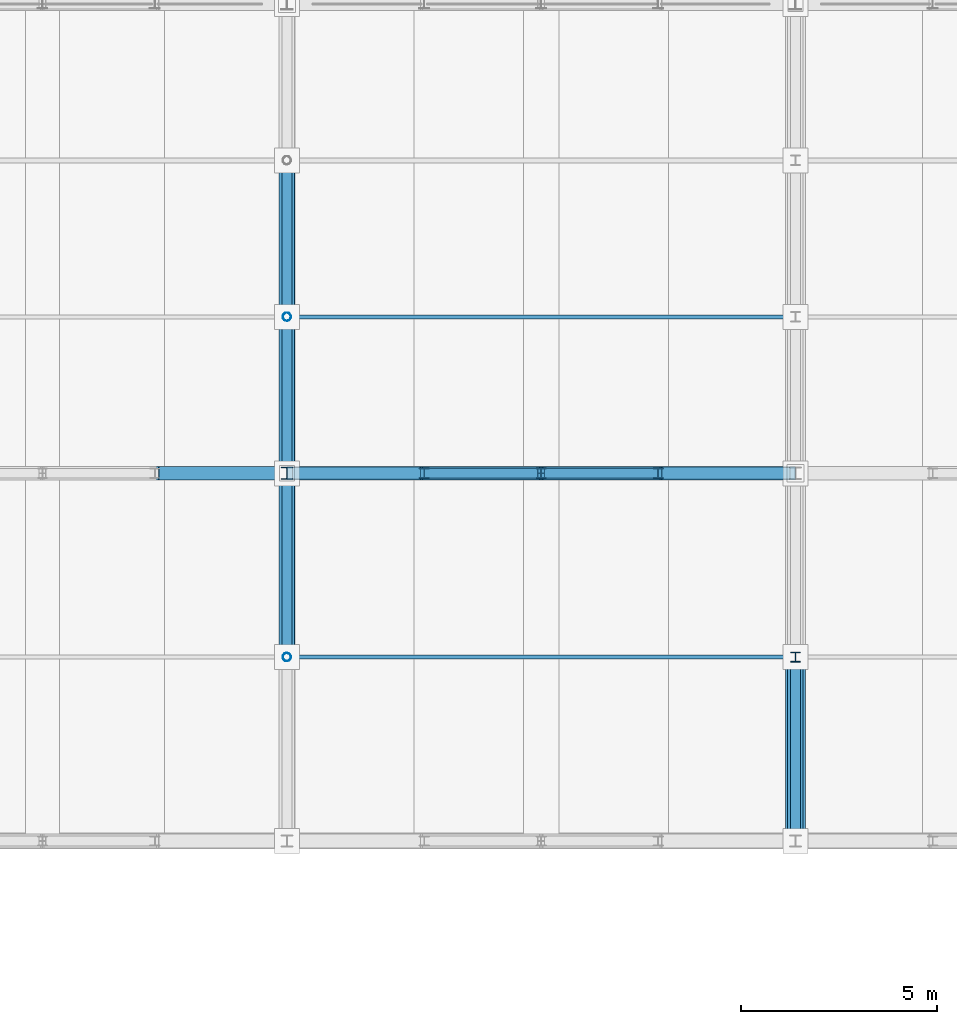
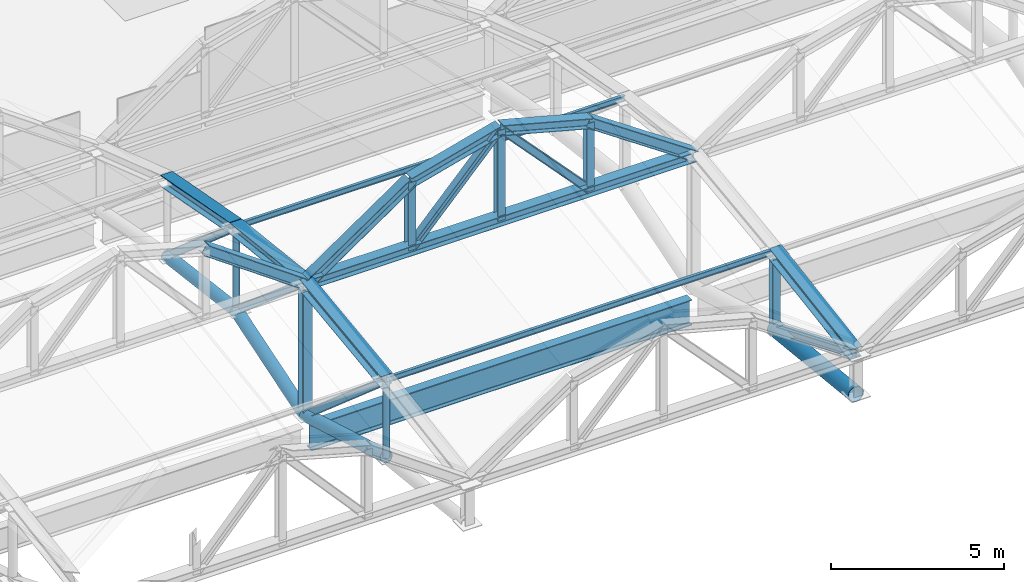
# One storey, part 49 of 117: 29 members, 1 beam.
"""IFC4 building model written with IfcOpenShell, lengths in metres."""

from ifc_helpers import new_model, si_unit, direction, frame, origin, origin_2d, place, context, subcontext, project, spatial, hollow_circle, i_section, extrude, material, material_profile, profile_set, type_object, element, save


model = new_model("IFC4")

# Units and contexts
model_context = context("Model", 3, precision=1e-05, world=origin(), true_north=direction((0.0, 1.0)))
body_context = subcontext(model_context, "Body", "Model", "MODEL_VIEW")
ifc_project = project(units=[si_unit("LENGTHUNIT", "METRE"), si_unit("AREAUNIT", "SQUARE_METRE"), si_unit("VOLUMEUNIT", "CUBIC_METRE"), si_unit("PLANEANGLEUNIT", "RADIAN"), si_unit("MASSUNIT", "GRAM", prefix="KILO")], contexts=[model_context])

# Site, building, storey
site_placement = place(None, origin())
site = spatial("IfcSite", under=ifc_project, at=site_placement, CompositionType="ELEMENT")
building_placement = place(site_placement, origin())
building = spatial("IfcBuilding", under=site, at=building_placement, Name="Kazenohara Klinker Stadium", CompositionType="ELEMENT")
storey_placement = place(building_placement, frame((0.0, 0.0, 31.199951171875)))
storey = spatial("IfcBuildingStorey", under=building, at=storey_placement, Name="RF", CompositionType="ELEMENT", Elevation=31.199951171875)

# Members
ifc_material = material(Name="Steel S355", Category="steel")
ifc_material_profile_1 = material_profile(ifc_material, i_section(OverallWidth=0.25, OverallDepth=0.25, WebThickness=0.009033203125, FlangeThickness=0.013916015625, FilletRadius=0.012939453125, at=origin_2d()), Name="H-250x250x9x14")
ifc_profile_set_1 = profile_set([ifc_material_profile_1], Name="Steel S355")
member_type_1 = type_object("IfcMemberType", Name="MEM-BRC02", PredefinedType="BRACE", material=ifc_profile_set_1)
member_1_placement = place(storey_placement, frame((99.0, 140.0, 0.75), z_axis=(0.0, -0.757253091298, 0.653121547432), x_axis=(1.0, 0.0, 0.0)))
element("IfcMember", 1, at=member_1_placement, inside=storey, type_object=member_type_1, Name="ROOF TRUSS RT-N04 web diagonal 2", PredefinedType="BRACE", context=body_context, shape_type="SweptSolid", body=[
    extrude(i_section(OverallWidth=0.25, OverallDepth=0.25, WebThickness=0.009033203125, FlangeThickness=0.013916015625, FilletRadius=0.012939453125, at=origin_2d()), origin(), (0.0, 0.0, 1.0), 5.2822265625),
])
member_2_placement = place(storey_placement, frame((99.0, 136.0, 1.25), z_axis=(0.0, -0.761925548551, 0.647664618815), x_axis=(1.0, 0.0, 0.0)))
element("IfcMember", 2, at=member_2_placement, inside=storey, type_object=member_type_1, Name="ROOF TRUSS RT-N04 web diagonal 3", PredefinedType="BRACE", context=body_context, shape_type="SweptSolid", body=[
    extrude(i_section(OverallWidth=0.25, OverallDepth=0.25, WebThickness=0.009033203125, FlangeThickness=0.013916015625, FilletRadius=0.012939453125, at=origin_2d()), origin(), (0.0, 0.0, 1.0), 5.249755859375),
])
member_3_placement = place(storey_placement, frame((99.0, 132.0, -0.02001953125), z_axis=(0.0, -0.755945561544, 0.65463448426), x_axis=(1.0, 0.0, 0.0)))
element("IfcMember", 3, at=member_3_placement, inside=storey, type_object=member_type_1, Name="ROOF TRUSS RT-N04 web diagonal 4", PredefinedType="BRACE", context=body_context, shape_type="SweptSolid", body=[
    extrude(i_section(OverallWidth=0.25, OverallDepth=0.25, WebThickness=0.009033203125, FlangeThickness=0.013916015625, FilletRadius=0.012939453125, at=origin_2d()), origin(), (0.0, 0.0, 1.0), 6.21728515625),
])
member_4_placement = place(storey_placement, frame((112.0, 127.300048828125, 1.35009765625), z_axis=(0.0, -0.923659284192, 0.383214726655), x_axis=(1.0, 0.0, 0.0)))
element("IfcMember", 4, at=member_4_placement, inside=storey, type_object=member_type_1, Name="ROOF TRUSS RT-N05 web diagonal 5", PredefinedType="BRACE", context=body_context, shape_type="SweptSolid", body=[
    extrude(i_section(OverallWidth=0.25, OverallDepth=0.25, WebThickness=0.009033203125, FlangeThickness=0.013916015625, FilletRadius=0.012939453125, at=origin_2d()), origin(), (0.0, 0.0, 1.0), 5.08837890625),
])
ifc_material_profile_2 = material_profile(ifc_material, i_section(OverallWidth=0.39990234375, OverallDepth=0.39990234375, WebThickness=0.012939453125, FlangeThickness=0.02099609375, FilletRadius=0.02197265625, at=origin_2d()), Name="H-400x400x13x21")
ifc_profile_set_2 = profile_set([ifc_material_profile_2], Name="Steel S355")
member_type_2 = type_object("IfcMemberType", Name="MEM-CHD01", PredefinedType="CHORD", material=ifc_profile_set_2)
member_5_placement = place(storey_placement, frame((99.0, 140.0, 3.449951171875), z_axis=(0.0, -0.982872186934, 0.18428853505), x_axis=(1.0, 0.0, 0.0)))
element("IfcMember", 5, at=member_5_placement, inside=storey, type_object=member_type_2, Name="ROOF TRUSS RT-N04 top arched chord 2", PredefinedType="CHORD", context=body_context, shape_type="SweptSolid", body=[
    extrude(i_section(OverallWidth=0.39990234375, OverallDepth=0.39990234375, WebThickness=0.012939453125, FlangeThickness=0.02099609375, FilletRadius=0.02197265625, at=origin_2d()), origin(), (0.0, 0.0, 1.0), 4.06982421875),
])
member_6_placement = place(storey_placement, frame((99.0, 136.0, 4.199951171875), z_axis=(0.0, -0.993725924527, 0.111842688283), x_axis=(1.0, 0.0, 0.0)))
element("IfcMember", 6, at=member_6_placement, inside=storey, type_object=member_type_2, Name="ROOF TRUSS RT-N04 top arched chord 3", PredefinedType="CHORD", context=body_context, shape_type="SweptSolid", body=[
    extrude(i_section(OverallWidth=0.39990234375, OverallDepth=0.39990234375, WebThickness=0.012939453125, FlangeThickness=0.02099609375, FilletRadius=0.02197265625, at=origin_2d()), origin(), (0.0, 0.0, 1.0), 4.025146484375),
])
member_7_placement = place(storey_placement, frame((99.0, 132.0, 4.650146484375), z_axis=(0.0, -0.99194702514, -0.126653461524), x_axis=(1.0, 0.0, 0.0)))
element("IfcMember", 7, at=member_7_placement, inside=storey, type_object=member_type_2, Name="ROOF TRUSS RT-N04 top arched chord 4", PredefinedType="CHORD", context=body_context, shape_type="SweptSolid", body=[
    extrude(i_section(OverallWidth=0.39990234375, OverallDepth=0.39990234375, WebThickness=0.012939453125, FlangeThickness=0.02099609375, FilletRadius=0.02197265625, at=origin_2d()), origin(), (0.0, 0.0, 1.0), 4.738037109375),
])
member_8_placement = place(storey_placement, frame((112.0, 127.300048828125, 4.050048828125), z_axis=(0.0, -0.987505848374, -0.157582357602), x_axis=(1.0, 0.0, 0.0)))
element("IfcMember", 8, at=member_8_placement, inside=storey, type_object=member_type_2, Name="ROOF TRUSS RT-N05 top arched chord 5", PredefinedType="CHORD", context=body_context, shape_type="SweptSolid", body=[
    extrude(i_section(OverallWidth=0.39990234375, OverallDepth=0.39990234375, WebThickness=0.012939453125, FlangeThickness=0.02099609375, FilletRadius=0.02197265625, at=origin_2d()), origin(), (0.0, 0.0, 1.0), 4.759521484375),
])
ifc_material_profile_3 = material_profile(ifc_material, i_section(OverallWidth=0.35009765625, OverallDepth=0.35009765625, WebThickness=0.011962890625, FlangeThickness=0.01904296875, FilletRadius=0.012939453125, at=origin_2d()), Name="H-350x350x12x19")
ifc_profile_set_3 = profile_set([ifc_material_profile_3], Name="Steel S355")
member_type_3 = type_object("IfcMemberType", Name="MEM-CHD02", PredefinedType="CHORD", material=ifc_profile_set_3)
member_9_placement = place(storey_placement, frame((95.625, 132.0, 7.050048828125), z_axis=(0.814966461491, 0.0, -0.579508124744), x_axis=(0.0, 1.0, 0.0)))
element("IfcMember", 9, at=member_9_placement, inside=storey, type_object=member_type_3, Name="Barrel arch top rib TC02 N-03-N3-S4", PredefinedType="CHORD", context=body_context, shape_type="SweptSolid", body=[
    extrude(i_section(OverallWidth=0.35009765625, OverallDepth=0.35009765625, WebThickness=0.011962890625, FlangeThickness=0.01904296875, FilletRadius=0.012939453125, at=origin_2d()), origin(), (0.0, 0.0, 1.0), 4.141357421875),
])
member_10_placement = place(storey_placement, frame((99.0, 132.0, 4.650146484375), z_axis=(1.0, 0.0, 0.0), x_axis=(0.0, 1.0, 0.0)))
element("IfcMember", 10, at=member_10_placement, inside=storey, type_object=member_type_3, Name="Barrel arch tie chord TC02 N-04-N3", PredefinedType="CHORD", context=body_context, shape_type="SweptSolid", body=[
    extrude(i_section(OverallWidth=0.35009765625, OverallDepth=0.35009765625, WebThickness=0.011962890625, FlangeThickness=0.01904296875, FilletRadius=0.012939453125, at=origin_2d()), origin(), (0.0, 0.0, 1.0), 13.0),
])
member_11_placement = place(storey_placement, frame((99.0, 132.0, 4.650146484375), z_axis=(0.825491711615, 0.0, 0.56441423977), x_axis=(0.0, 1.0, 0.0)))
element("IfcMember", 11, at=member_11_placement, inside=storey, type_object=member_type_3, Name="Barrel arch top rib TC02 N-04-N3-S1", PredefinedType="CHORD", context=body_context, shape_type="SweptSolid", body=[
    extrude(i_section(OverallWidth=0.35009765625, OverallDepth=0.35009765625, WebThickness=0.011962890625, FlangeThickness=0.01904296875, FilletRadius=0.012939453125, at=origin_2d()), origin(), (0.0, 0.0, 1.0), 4.251953125),
])
for number, where, z_axis, x_axis, name in (
    (12, (102.510009765625, 132.0, 7.050048828125), (0.966015959624, 0.0, 0.258482428324), (0.0, 1.0, 0.0), "Barrel arch top rib TC02 N-04-N3-S2"),
    (13, (105.5, 132.0, 7.85009765625), (0.966015959624, 0.0, -0.258482428324), (0.0, 1.0, 0.0), "Barrel arch top rib TC02 N-04-N3-S3"),
):
    element("IfcMember", number, at=place(storey_placement, frame(where, z_axis=z_axis, x_axis=x_axis)), inside=storey, type_object=member_type_3, Name=name, PredefinedType="CHORD", context=body_context, shape_type="SweptSolid", body=[
        extrude(i_section(OverallWidth=0.35009765625, OverallDepth=0.35009765625, WebThickness=0.011962890625, FlangeThickness=0.01904296875, FilletRadius=0.012939453125, at=origin_2d()), origin(), (0.0, 0.0, 1.0), 3.09521484375),
    ])
member_12_placement = place(storey_placement, frame((108.489990234375, 132.0, 7.050048828125), z_axis=(0.825491711615, 0.0, -0.56441423977), x_axis=(0.0, 1.0, 0.0)))
element("IfcMember", 14, at=member_12_placement, inside=storey, type_object=member_type_3, Name="Barrel arch top rib TC02 N-04-N3-S4", PredefinedType="CHORD", context=body_context, shape_type="SweptSolid", body=[
    extrude(i_section(OverallWidth=0.35009765625, OverallDepth=0.35009765625, WebThickness=0.011962890625, FlangeThickness=0.01904296875, FilletRadius=0.012939453125, at=origin_2d()), origin(), (0.0, 0.0, 1.0), 4.251953125),
])
ifc_material_profile_4 = material_profile(ifc_material, hollow_circle(Radius=0.203125, WallThickness=0.011962890625, at=origin_2d()), Name="CHS-406.4x12")
ifc_profile_set_4 = profile_set([ifc_material_profile_4], Name="Steel S355")
member_type_4 = type_object("IfcMemberType", Name="MEM-CHD03", PredefinedType="CHORD", material=ifc_profile_set_4)
member_13_placement = place(storey_placement, frame((99.0, 140.0, 0.75), z_axis=(0.0, -0.992277876714, 0.124034734589), x_axis=(1.0, 0.0, 0.0)))
element("IfcMember", 15, at=member_13_placement, inside=storey, type_object=member_type_4, Name="ROOF TRUSS RT-N04 bottom arched chord 2", PredefinedType="CHORD", context=body_context, shape_type="SweptSolid", body=[
    extrude(hollow_circle(Radius=0.203125, WallThickness=0.011962890625, at=origin_2d()), origin(), (0.0, 0.0, 1.0), 4.03125),
])
member_14_placement = place(storey_placement, frame((99.0, 136.0, 1.25), z_axis=(0.0, -0.953112016541, -0.302617719119), x_axis=(1.0, 0.0, 0.0)))
element("IfcMember", 16, at=member_14_placement, inside=storey, type_object=member_type_4, Name="ROOF TRUSS RT-N04 bottom arched chord 3", PredefinedType="CHORD", context=body_context, shape_type="SweptSolid", body=[
    extrude(hollow_circle(Radius=0.203125, WallThickness=0.011962890625, at=origin_2d()), origin(), (0.0, 0.0, 1.0), 4.19677734375),
])
member_15_placement = place(storey_placement, frame((99.0, 132.0, -0.02001953125), z_axis=(0.0, -0.960038530088, 0.279867863012), x_axis=(1.0, 0.0, 0.0)))
element("IfcMember", 17, at=member_15_placement, inside=storey, type_object=member_type_4, Name="ROOF TRUSS RT-N04 bottom arched chord 4", PredefinedType="CHORD", context=body_context, shape_type="SweptSolid", body=[
    extrude(hollow_circle(Radius=0.203125, WallThickness=0.011962890625, at=origin_2d()), origin(), (0.0, 0.0, 1.0), 4.8955078125),
])
ifc_material_profile_5 = material_profile(ifc_material, hollow_circle(Radius=0.25390625, WallThickness=0.01611328125, at=origin_2d()), Name="CHS-508.0x16")
ifc_profile_set_5 = profile_set([ifc_material_profile_5], Name="Steel S355")
member_type_5 = type_object("IfcMemberType", Name="MEM-CHD04", PredefinedType="CHORD", material=ifc_profile_set_5)
member_16_placement = place(storey_placement, frame((112.0, 127.300048828125, 1.35009765625), z_axis=(0.0, -0.99438879757, 0.105787141313), x_axis=(1.0, 0.0, 0.0)))
element("IfcMember", 18, at=member_16_placement, inside=storey, type_object=member_type_5, Name="ROOF TRUSS RT-N05 bottom arched chord 5", PredefinedType="CHORD", context=body_context, shape_type="SweptSolid", body=[
    extrude(hollow_circle(Radius=0.25390625, WallThickness=0.01611328125, at=origin_2d()), origin(), (0.0, 0.0, 1.0), 4.7265625),
])
ifc_material_profile_6 = material_profile(ifc_material, i_section(OverallWidth=0.10009765625, OverallDepth=0.199951171875, WebThickness=0.005615234375, FlangeThickness=0.008056640625, FilletRadius=0.008056640625, at=origin_2d()), Name="H-200x100x5.5x8")
ifc_profile_set_6 = profile_set([ifc_material_profile_6], Name="Steel S355")
member_type_6 = type_object("IfcMemberType", Name="MEM-PUR02", PredefinedType="PURLIN", material=ifc_profile_set_6)
for number, where, z_axis, x_axis, name in (
    (19, (99.0, 136.0, 4.219970703125), (1.0, 0.0, 0.0), (0.0, 1.0, 0.0), "Canopy valley tie purlin PR02 N-04-N2"),
    (20, (99.0, 127.300048828125, 4.070068359375), (1.0, 0.0, 0.0), (0.0, 1.0, 0.0), "Canopy valley tie purlin PR02 N-04-N4"),
):
    element("IfcMember", number, at=place(storey_placement, frame(where, z_axis=z_axis, x_axis=x_axis)), inside=storey, type_object=member_type_6, Name=name, PredefinedType="PURLIN", context=body_context, shape_type="SweptSolid", body=[
        extrude(i_section(OverallWidth=0.10009765625, OverallDepth=0.199951171875, WebThickness=0.005615234375, FlangeThickness=0.008056640625, FilletRadius=0.008056640625, at=origin_2d()), origin(), (0.0, 0.0, 1.0), 13.0),
    ])
ifc_material_profile_7 = material_profile(ifc_material, i_section(OverallWidth=0.300048828125, OverallDepth=0.300048828125, WebThickness=0.010009765625, FlangeThickness=0.014892578125, FilletRadius=0.012939453125, at=origin_2d()), Name="H-300x300x10x15")
ifc_profile_set_7 = profile_set([ifc_material_profile_7], Name="Steel S355")
member_type_7 = type_object("IfcMemberType", Name="MEM-STR01", PredefinedType="STRUT", material=ifc_profile_set_7)
member_17_placement = place(storey_placement, frame((99.0, 132.0, -0.02001953125), z_axis=(0.0, 0.0, 1.0), x_axis=(1.0, 0.0, 0.0)))
element("IfcMember", 21, at=member_17_placement, inside=storey, type_object=member_type_7, Name="ROOF TRUSS RT-N04 web post 4", PredefinedType="STRUT", context=body_context, shape_type="SweptSolid", body=[
    extrude(i_section(OverallWidth=0.300048828125, OverallDepth=0.300048828125, WebThickness=0.010009765625, FlangeThickness=0.014892578125, FilletRadius=0.012939453125, at=origin_2d()), origin(), (0.0, 0.0, 1.0), 4.670166015625),
])
ifc_material_profile_8 = material_profile(ifc_material, i_section(OverallWidth=0.25, OverallDepth=0.25, WebThickness=0.009033203125, FlangeThickness=0.013916015625, FilletRadius=0.012939453125, at=origin_2d()), Name="H-250x250x9x14")
ifc_profile_set_8 = profile_set([ifc_material_profile_8], Name="Steel S355")
member_type_8 = type_object("IfcMemberType", Name="MEM-STR02", PredefinedType="STRUT", material=ifc_profile_set_8)
member_18_placement = place(storey_placement, frame((112.0, 127.300048828125, 1.35009765625), z_axis=(0.0, 0.0, 1.0), x_axis=(1.0, 0.0, 0.0)))
element("IfcMember", 22, at=member_18_placement, inside=storey, type_object=member_type_8, Name="ROOF TRUSS RT-N05 web post 5", PredefinedType="STRUT", context=body_context, shape_type="SweptSolid", body=[
    extrude(i_section(OverallWidth=0.25, OverallDepth=0.25, WebThickness=0.009033203125, FlangeThickness=0.013916015625, FilletRadius=0.012939453125, at=origin_2d()), origin(), (0.0, 0.0, 1.0), 2.699951171875),
])
member_19_placement = place(storey_placement, frame((102.510009765625, 132.0, 4.650146484375), z_axis=(0.0, 0.0, 1.0), x_axis=(1.0, 0.0, 0.0)))
element("IfcMember", 23, at=member_19_placement, inside=storey, type_object=member_type_8, Name="Barrel arch web post TS02 N-04-N3-P1", PredefinedType="STRUT", context=body_context, shape_type="SweptSolid", body=[
    extrude(i_section(OverallWidth=0.25, OverallDepth=0.25, WebThickness=0.009033203125, FlangeThickness=0.013916015625, FilletRadius=0.012939453125, at=origin_2d()), origin(), (0.0, 0.0, 1.0), 2.39990234375),
])
member_20_placement = place(storey_placement, frame((105.5, 132.0, 4.650146484375), z_axis=(0.0, 0.0, 1.0), x_axis=(1.0, 0.0, 0.0)))
element("IfcMember", 24, at=member_20_placement, inside=storey, type_object=member_type_8, Name="Barrel arch web post TS02 N-04-N3-P2", PredefinedType="STRUT", context=body_context, shape_type="SweptSolid", body=[
    extrude(i_section(OverallWidth=0.25, OverallDepth=0.25, WebThickness=0.009033203125, FlangeThickness=0.013916015625, FilletRadius=0.012939453125, at=origin_2d()), origin(), (0.0, 0.0, 1.0), 3.199951171875),
])
member_21_placement = place(storey_placement, frame((108.489990234375, 132.0, 4.650146484375), z_axis=(0.0, 0.0, 1.0), x_axis=(1.0, 0.0, 0.0)))
element("IfcMember", 25, at=member_21_placement, inside=storey, type_object=member_type_8, Name="Barrel arch web post TS02 N-04-N3-P3", PredefinedType="STRUT", context=body_context, shape_type="SweptSolid", body=[
    extrude(i_section(OverallWidth=0.25, OverallDepth=0.25, WebThickness=0.009033203125, FlangeThickness=0.013916015625, FilletRadius=0.012939453125, at=origin_2d()), origin(), (0.0, 0.0, 1.0), 2.39990234375),
])
for number, where, z_axis, x_axis, name in (
    (26, (102.510009765625, 132.0, 4.650146484375), (0.682729290589, 0.0, 0.730671414366), (0.0, 1.0, 0.0), "Barrel arch web diagonal TS02 N-04-N3-D1"),
    (27, (108.489990234375, 132.0, 4.650146484375), (-0.682729290589, 0.0, 0.730671414366), (0.0, -1.0, 0.0), "Barrel arch web diagonal TS02 N-04-N3-D2"),
):
    element("IfcMember", number, at=place(storey_placement, frame(where, z_axis=z_axis, x_axis=x_axis)), inside=storey, type_object=member_type_8, Name=name, PredefinedType="STRUT", context=body_context, shape_type="SweptSolid", body=[
        extrude(i_section(OverallWidth=0.25, OverallDepth=0.25, WebThickness=0.009033203125, FlangeThickness=0.013916015625, FilletRadius=0.012939453125, at=origin_2d()), origin(), (0.0, 0.0, 1.0), 4.37939453125),
    ])
ifc_material_profile_9 = material_profile(ifc_material, hollow_circle(Radius=0.108154296875, WallThickness=0.008056640625, at=origin_2d()), Name="CHS-216.3x8")
ifc_profile_set_9 = profile_set([ifc_material_profile_9], Name="Steel S355")
member_type_9 = type_object("IfcMemberType", Name="MEM-STR04", PredefinedType="STRUT", material=ifc_profile_set_9)
member_22_placement = place(storey_placement, frame((99.0, 136.0, 1.25), z_axis=(0.0, 0.0, 1.0), x_axis=(1.0, 0.0, 0.0)))
element("IfcMember", 28, at=member_22_placement, inside=storey, type_object=member_type_9, Name="ROOF TRUSS RT-N04 web post 3", PredefinedType="STRUT", context=body_context, shape_type="SweptSolid", body=[
    extrude(hollow_circle(Radius=0.108154296875, WallThickness=0.008056640625, at=origin_2d()), origin(), (0.0, 0.0, 1.0), 2.949951171875),
])
member_23_placement = place(storey_placement, frame((99.0, 127.300048828125, 1.35009765625), z_axis=(0.0, 0.0, 1.0), x_axis=(1.0, 0.0, 0.0)))
element("IfcMember", 29, at=member_23_placement, inside=storey, type_object=member_type_9, Name="ROOF TRUSS RT-N04 web post 5", PredefinedType="STRUT", context=body_context, shape_type="SweptSolid", body=[
    extrude(hollow_circle(Radius=0.108154296875, WallThickness=0.008056640625, at=origin_2d()), origin(), (0.0, 0.0, 1.0), 2.699951171875),
])

# Beam
ifc_material_profile_10 = material_profile(ifc_material, i_section(OverallWidth=0.300048828125, OverallDepth=0.89990234375, WebThickness=0.01611328125, FlangeThickness=0.028076171875, FilletRadius=0.02197265625, at=origin_2d()), Name="H-900x300x16x28")
ifc_profile_set_10 = profile_set([ifc_material_profile_10], Name="Steel S355")
beam_type = type_object("IfcBeamType", Name="RING-RB01", PredefinedType="USERDEFINED", material=ifc_profile_set_10)
beam_placement = place(storey_placement, frame((99.139892578125, 132.0, -0.820068359375), z_axis=(1.0, 0.0, 0.0), x_axis=(0.0, 1.0, 0.0)))
element("IfcBeam", 30, at=beam_placement, inside=storey, type_object=beam_type, Name="Roof ring beam RB01 N-IN 9-10", ObjectType="RING BEAM", PredefinedType="USERDEFINED", context=body_context, shape_type="SweptSolid", body=[
    extrude(i_section(OverallWidth=0.300048828125, OverallDepth=0.89990234375, WebThickness=0.01611328125, FlangeThickness=0.028076171875, FilletRadius=0.02197265625, at=origin_2d()), origin(), (0.0, 0.0, 1.0), 12.72021484375),
])

save(model, "model.ifc")
